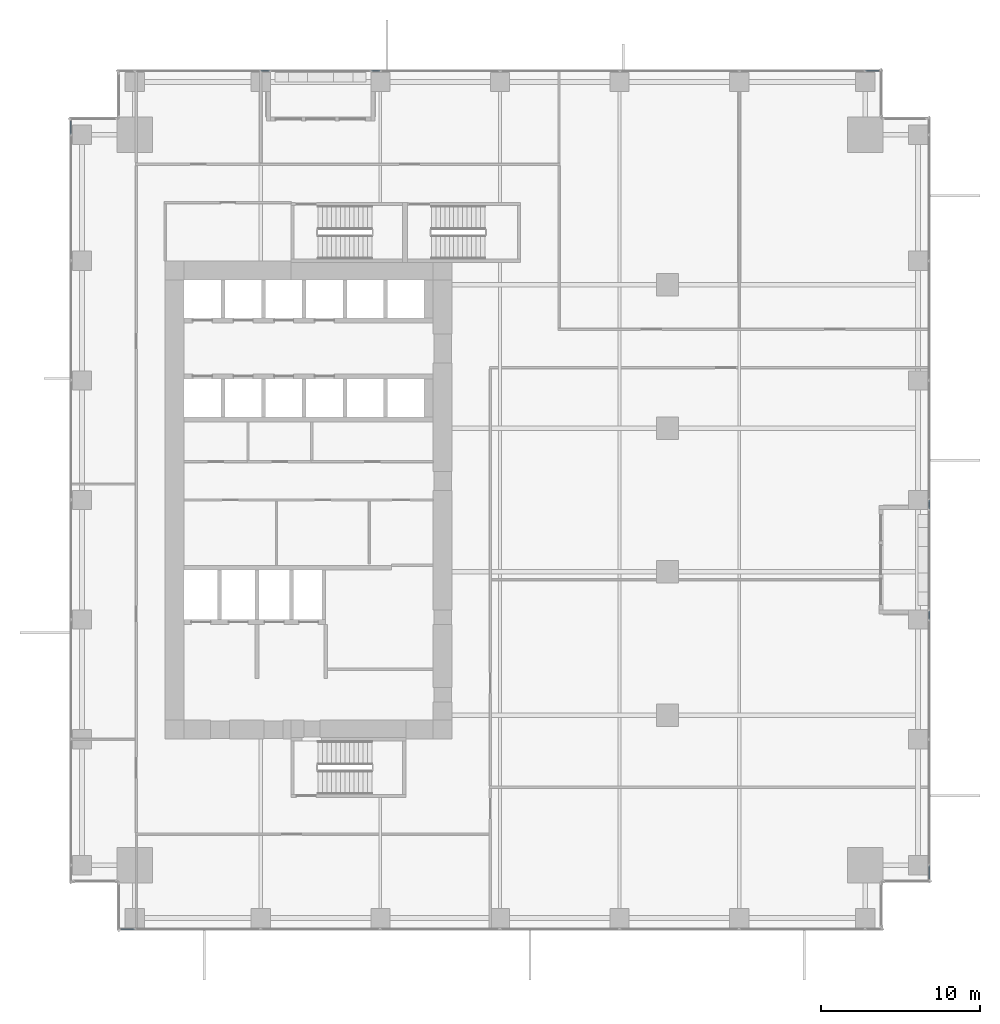
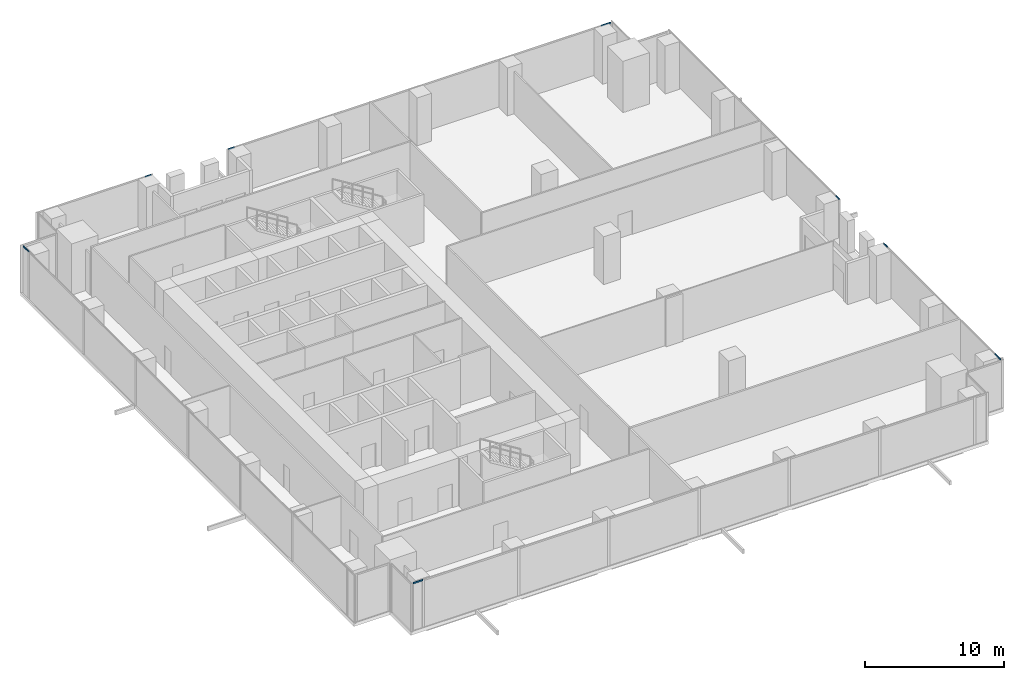
# One storey, part 21 of 33: 8 members, 6 elements without a shape of their own.
"""IFC4 building model written with IfcOpenShell, lengths in metres."""

from ifc_helpers import new_model, si_unit, direction, frame, origin, origin_2d, place, context, subcontext, project, spatial, hollow_rectangle, extrude, source, transform, mapped, material, material_profile, profile_set, type_object, element, aggregate, save


model = new_model("IFC4")

# Units and contexts
model_context = context("Model", 3, precision=1e-05, world=origin(), true_north=direction((0.0, 1.0)))
body_context = subcontext(model_context, "Body", "Model", "MODEL_VIEW")
ifc_project = project(units=[si_unit("LENGTHUNIT", "METRE"), si_unit("AREAUNIT", "SQUARE_METRE"), si_unit("VOLUMEUNIT", "CUBIC_METRE"), si_unit("PLANEANGLEUNIT", "RADIAN"), si_unit("MASSUNIT", "GRAM", prefix="KILO")], contexts=[model_context])

# Site, building, storey
site_placement = place(None, origin())
site = spatial("IfcSite", under=ifc_project, at=site_placement, CompositionType="ELEMENT")
building_placement = place(site_placement, origin())
building = spatial("IfcBuilding", under=site, at=building_placement, Name="Khomas Fold Tower", CompositionType="ELEMENT")
storey_placement = place(building_placement, frame((0.0, 0.0, 82.5)))
storey = spatial("IfcBuildingStorey", under=building, at=storey_placement, Name="L17", CompositionType="ELEMENT", Elevation=82.5)

# Curtain wall, member
ifc_material_1 = material(Name="Aluminium framed double glazing", Category="aluminium")
curtain_wall_type = type_object("IfcCurtainWallType", Name="SK-Unitised clear-glass wall, growing floors CW1", PredefinedType="NOTDEFINED", material=ifc_material_1)
curtain_wall_1_placement = place(storey_placement, origin())
curtain_wall_1 = element("IfcCurtainWall", 1, at=curtain_wall_1_placement, inside=storey, type_object=curtain_wall_type, Name="CW1 run L17 00-0", PredefinedType="NOTDEFINED")
ifc_material_2 = material(Name="Aluminium", Category="aluminium")
ifc_material_profile = material_profile(ifc_material_2, hollow_rectangle(XDim=0.06005859375, YDim=0.1201171875, WallThickness=0.00390625, at=origin_2d()), Name="SK-Unitised clear-glass wall, growing floors transom CW1-T")
ifc_profile_set = profile_set([ifc_material_profile], Name="Aluminium")
member_type = type_object("IfcMemberType", Name="SK-Unitised clear-glass wall, growing floors transom CW1-T", PredefinedType="USERDEFINED", material=ifc_profile_set)
shared_shape_1 = source(origin(), body_context, "Body", "SweptSolid", [
    extrude(hollow_rectangle(XDim=0.06005859375, YDim=0.1201171875, WallThickness=0.00390625, at=origin_2d()), origin(), (0.0, 0.0, 1.0), 0.81005859375),
])
member_1_placement = place(storey_placement, frame((3.260009765625, 0.10009765625, 4.139892578125), z_axis=(1.0, 0.0, 0.0), x_axis=(0.0, 1.0, 0.0)))
member_1 = element("IfcMember", 2, at=member_1_placement, type_object=member_type, Name="CW1 transom 1", ObjectType="TRANSOM", PredefinedType="USERDEFINED", context=body_context, shape_type="MappedRepresentation", body=[
    mapped(shared_shape_1, transform((0.0, 0.0, 0.0))),
])
aggregate(curtain_wall_1, [member_1])

curtain_wall_2_placement = place(storey_placement, origin())
curtain_wall_2 = element("IfcCurtainWall", 3, at=curtain_wall_2_placement, inside=storey, type_object=curtain_wall_type, Name="CW1 run L17 03-0", PredefinedType="NOTDEFINED")
member_2_placement = place(storey_placement, frame((53.89990234375, 3.260009765625, 4.139892578125), z_axis=(0.0, 1.0, 0.0), x_axis=(-1.0, 0.0, 0.0)))
member_2 = element("IfcMember", 4, at=member_2_placement, type_object=member_type, Name="CW1 transom 1", ObjectType="TRANSOM", PredefinedType="USERDEFINED", context=body_context, shape_type="MappedRepresentation", body=[
    mapped(shared_shape_1, transform((0.0, 0.0, 0.0))),
])

curtain_wall_3_placement = place(storey_placement, origin())
curtain_wall_3 = element("IfcCurtainWall", 5, at=curtain_wall_3_placement, inside=storey, type_object=curtain_wall_type, Name="CW1 run L17 06-0", PredefinedType="NOTDEFINED")
member_3_placement = place(storey_placement, frame((50.739990234375, 53.89990234375, 4.139892578125), z_axis=(-1.0, 0.0, 0.0), x_axis=(0.0, -1.0, 0.0)))
member_3 = element("IfcMember", 6, at=member_3_placement, type_object=member_type, Name="CW1 transom 1", ObjectType="TRANSOM", PredefinedType="USERDEFINED", context=body_context, shape_type="MappedRepresentation", body=[
    mapped(shared_shape_1, transform((0.0, 0.0, 0.0))),
])

curtain_wall_4_placement = place(storey_placement, origin())
curtain_wall_4 = element("IfcCurtainWall", 7, at=curtain_wall_4_placement, inside=storey, type_object=curtain_wall_type, Name="CW1 run L17 09-0", PredefinedType="NOTDEFINED")
member_4_placement = place(storey_placement, frame((0.10009765625, 50.739990234375, 4.139892578125), z_axis=(0.0, -1.0, 0.0), x_axis=(1.0, 0.0, 0.0)))
member_4 = element("IfcMember", 8, at=member_4_placement, type_object=member_type, Name="CW1 transom 1", ObjectType="TRANSOM", PredefinedType="USERDEFINED", context=body_context, shape_type="MappedRepresentation", body=[
    mapped(shared_shape_1, transform((0.0, 0.0, 0.0))),
])
aggregate(curtain_wall_4, [member_4])

# Member
shared_shape_2 = source(origin(), body_context, "Body", "SweptSolid", [
    extrude(hollow_rectangle(XDim=0.06005859375, YDim=0.1201171875, WallThickness=0.00390625, at=origin_2d()), origin(), (0.0, 0.0, 1.0), 0.510009765625),
])
member_5_placement = place(storey_placement, frame((53.89990234375, 19.530029296875, 4.139892578125), z_axis=(0.0, 1.0, 0.0), x_axis=(-1.0, 0.0, 0.0)))
member_5 = element("IfcMember", 9, at=member_5_placement, type_object=member_type, Name="CW1 transom 4", ObjectType="TRANSOM", PredefinedType="USERDEFINED", context=body_context, shape_type="MappedRepresentation", body=[
    mapped(shared_shape_2, transform((0.0, 0.0, 0.0))),
])

aggregate(curtain_wall_2, [member_2, member_5])

# Curtain wall, member
curtain_wall_5_placement = place(storey_placement, origin())
curtain_wall_5 = element("IfcCurtainWall", 10, at=curtain_wall_5_placement, inside=storey, type_object=curtain_wall_type, Name="CW1 run L17 03-1", PredefinedType="NOTDEFINED")
member_6_placement = place(storey_placement, frame((53.89990234375, 26.4599609375, 4.139892578125), z_axis=(0.0, 1.0, 0.0), x_axis=(-1.0, 0.0, 0.0)))
member_6 = element("IfcMember", 11, at=member_6_placement, type_object=member_type, Name="CW1 transom 1", ObjectType="TRANSOM", PredefinedType="USERDEFINED", context=body_context, shape_type="MappedRepresentation", body=[
    mapped(shared_shape_2, transform((0.0, 0.0, 0.0))),
])
aggregate(curtain_wall_5, [member_6])

# Member
member_7_placement = place(storey_placement, frame((19.469970703125, 53.89990234375, 4.139892578125), z_axis=(-1.0, 0.0, 0.0), x_axis=(0.0, -1.0, 0.0)))
member_7 = element("IfcMember", 12, at=member_7_placement, type_object=member_type, Name="CW1 transom 6", ObjectType="TRANSOM", PredefinedType="USERDEFINED", context=body_context, shape_type="MappedRepresentation", body=[
    mapped(shared_shape_2, transform((0.0, 0.0, 0.0))),
])

aggregate(curtain_wall_3, [member_3, member_7])

# Curtain wall, member
curtain_wall_6_placement = place(storey_placement, origin())
curtain_wall_6 = element("IfcCurtainWall", 13, at=curtain_wall_6_placement, inside=storey, type_object=curtain_wall_type, Name="CW1 run L17 06-1", PredefinedType="NOTDEFINED")
member_8_placement = place(storey_placement, frame((12.5400390625, 53.89990234375, 4.139892578125), z_axis=(-1.0, 0.0, 0.0), x_axis=(0.0, -1.0, 0.0)))
member_8 = element("IfcMember", 14, at=member_8_placement, type_object=member_type, Name="CW1 transom 1", ObjectType="TRANSOM", PredefinedType="USERDEFINED", context=body_context, shape_type="MappedRepresentation", body=[
    mapped(shared_shape_2, transform((0.0, 0.0, 0.0))),
])
aggregate(curtain_wall_6, [member_8])

save(model, "model.ifc")
